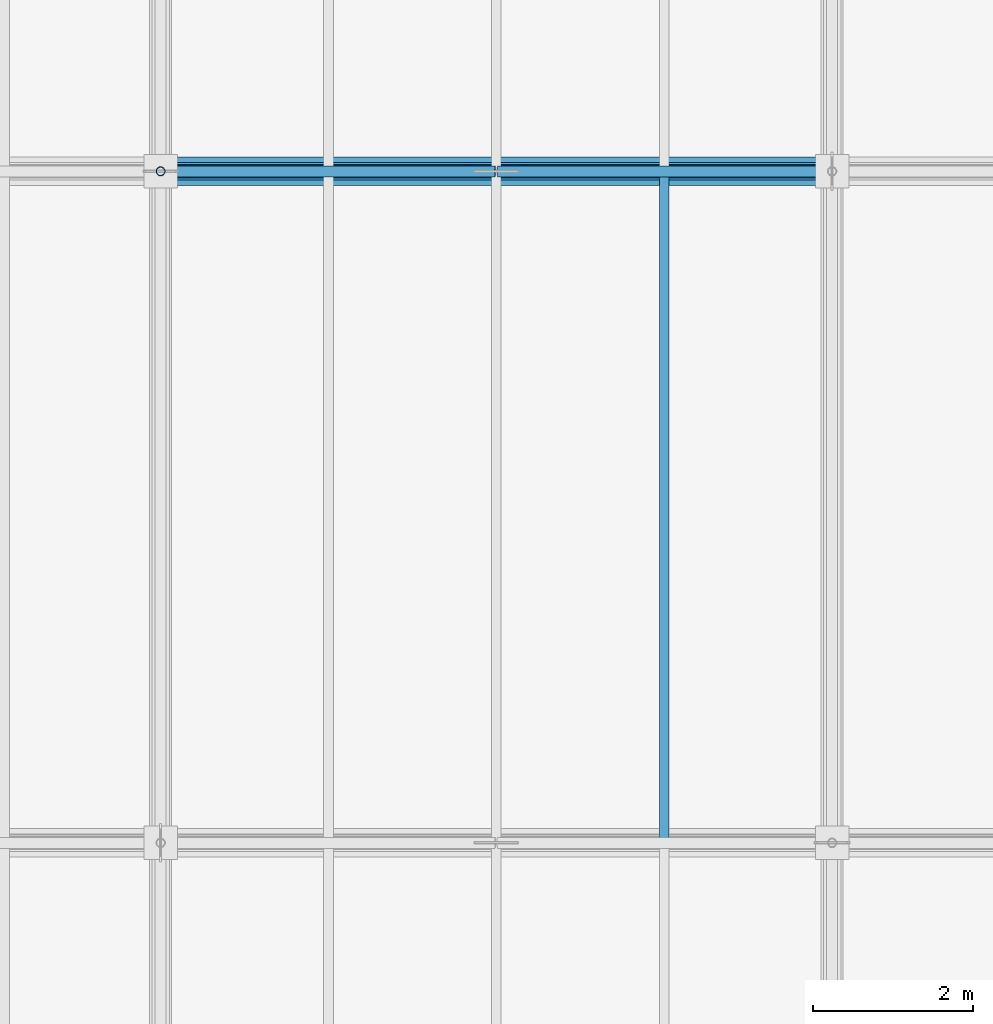
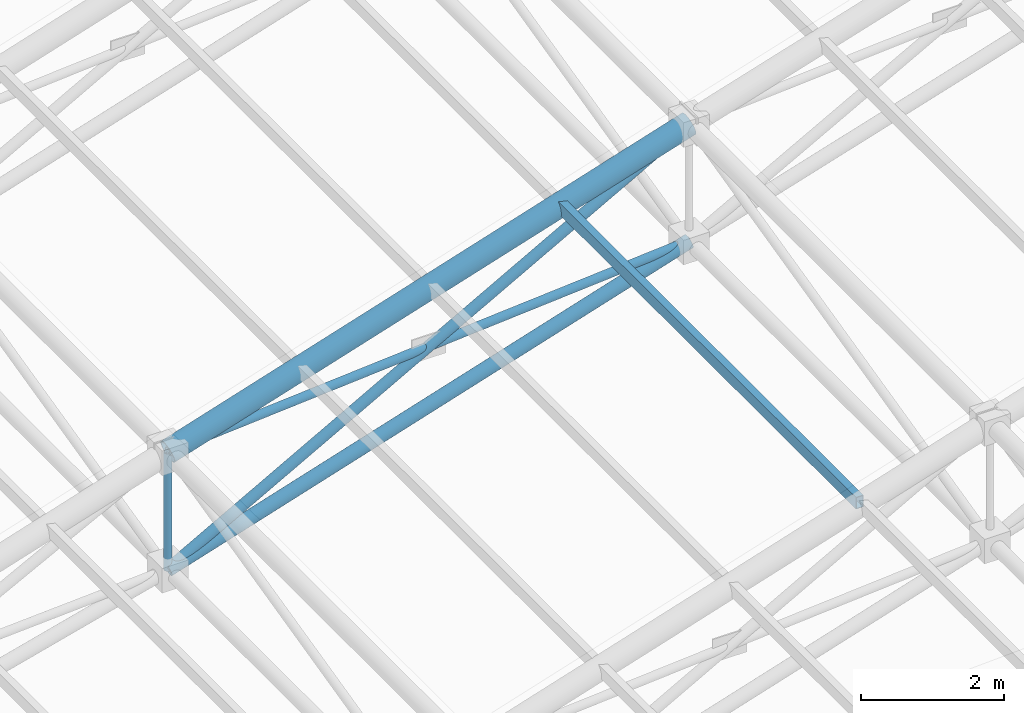
# One storey, part 38 of 144: 7 members.
"""IFC4 building model written with IfcOpenShell, lengths in metres."""

from ifc_helpers import new_model, si_unit, direction, frame, origin, origin_2d, place, context, subcontext, project, spatial, hollow_rectangle, hollow_circle, extrude, material, material_profile, profile_set, type_object, element, save


model = new_model("IFC4")

# Units and contexts
model_context = context("Model", 3, precision=1e-05, world=origin(), true_north=direction((0.0, 1.0)))
body_context = subcontext(model_context, "Body", "Model", "MODEL_VIEW")
ifc_project = project(units=[si_unit("LENGTHUNIT", "METRE"), si_unit("AREAUNIT", "SQUARE_METRE"), si_unit("VOLUMEUNIT", "CUBIC_METRE"), si_unit("PLANEANGLEUNIT", "RADIAN"), si_unit("MASSUNIT", "GRAM", prefix="KILO")], contexts=[model_context])

# Site, building, storey
site_placement = place(None, origin())
site = spatial("IfcSite", under=ifc_project, at=site_placement, CompositionType="ELEMENT")
building_placement = place(site_placement, origin())
building = spatial("IfcBuilding", under=site, at=building_placement, Name="Zayran Congress Hotel", CompositionType="ELEMENT")
storey_placement = place(building_placement, frame((0.0, 0.0, 19.199951171875)))
storey = spatial("IfcBuildingStorey", under=building, at=storey_placement, Name="L04", CompositionType="ELEMENT", Elevation=19.199951171875)

# Members
ifc_material = material(Name="Steel S355", Category="steel")
ifc_material_profile_1 = material_profile(ifc_material, hollow_circle(Radius=0.177734375, WallThickness=0.01611328125, at=origin_2d()), Name="CHS 355.6x16")
ifc_profile_set_1 = profile_set([ifc_material_profile_1], Name="Steel S355")
member_type_1 = type_object("IfcMemberType", Name="TP-SF-TC1", PredefinedType="CHORD", material=ifc_profile_set_1)
member_1_placement = place(storey_placement, frame((16.800048828125, 92.800048828125, 4.652099609375), z_axis=(0.953670596398, 0.0, 0.300852777228), x_axis=(0.0, 1.0, 0.0)))
element("IfcMember", 1, at=member_1_placement, inside=storey, type_object=member_type_1, Name="Space Frame Top Chord X 84", PredefinedType="CHORD", context=body_context, shape_type="SweptSolid", body=[
    extrude(hollow_circle(Radius=0.177734375, WallThickness=0.01611328125, at=origin_2d()), origin(), (0.0, 0.0, 1.0), 8.807861328125),
])
ifc_material_profile_2 = material_profile(ifc_material, hollow_circle(Radius=0.109619140625, WallThickness=0.010009765625, at=origin_2d()), Name="CHS 219.1x10")
ifc_profile_set_2 = profile_set([ifc_material_profile_2], Name="Steel S355")
member_type_2 = type_object("IfcMemberType", Name="TP-SF-BC1", PredefinedType="CHORD", material=ifc_profile_set_2)
member_2_placement = place(storey_placement, frame((16.800048828125, 92.800048828125, 2.650146484375), z_axis=(0.953670596398, 0.0, 0.300852777228), x_axis=(0.0, 1.0, 0.0)))
element("IfcMember", 2, at=member_2_placement, inside=storey, type_object=member_type_2, Name="Space Frame Bottom Chord X 85", PredefinedType="CHORD", context=body_context, shape_type="SweptSolid", body=[
    extrude(hollow_circle(Radius=0.109619140625, WallThickness=0.010009765625, at=origin_2d()), origin(), (0.0, 0.0, 1.0), 8.807861328125),
])
ifc_material_profile_3 = material_profile(ifc_material, hollow_circle(Radius=0.084228515625, WallThickness=0.008056640625, at=origin_2d()), Name="CHS 168.3x8")
ifc_profile_set_3 = profile_set([ifc_material_profile_3], Name="Steel S355")
member_type_3 = type_object("IfcMemberType", Name="TP-SF-DG1", PredefinedType="BRACE", material=ifc_profile_set_3)
member_3_placement = place(storey_placement, frame((16.800048828125, 92.800048828125, 2.650146484375), z_axis=(0.87480892947, 0.0, 0.484468096905), x_axis=(0.0, 1.0, 0.0)))
element("IfcMember", 3, at=member_3_placement, inside=storey, type_object=member_type_3, Name="Space Frame Web Diagonal X 86", PredefinedType="BRACE", context=body_context, shape_type="SweptSolid", body=[
    extrude(hollow_circle(Radius=0.084228515625, WallThickness=0.008056640625, at=origin_2d()), origin(), (0.0, 0.0, 1.0), 9.60205078125),
])
ifc_material_profile_4 = material_profile(ifc_material, hollow_circle(Radius=0.06982421875, WallThickness=0.00634765625, at=origin_2d()), Name="CHS 139.7x6.3")
ifc_profile_set_4 = profile_set([ifc_material_profile_4], Name="Steel S355")
member_type_4 = type_object("IfcMemberType", Name="TP-SF-DG2", PredefinedType="BRACE", material=ifc_profile_set_4)
for number, where, z_axis, x_axis, name in (
    (4, (16.800048828125, 92.800048828125, 4.652099609375), (0.997039412202, 0.0, 0.076892200614), (0.0, 1.0, 0.0), "Space Frame Counter Diagonal X Upper 87"),
    (5, (21.014892578125, 92.800048828125, 4.977294921875), (0.997039412202, 0.0, 0.076892200614), (0.0, 1.0, 0.0), "Space Frame Counter Diagonal X Lower 17"),
):
    element("IfcMember", number, at=place(storey_placement, frame(where, z_axis=z_axis, x_axis=x_axis)), inside=storey, type_object=member_type_4, Name=name, PredefinedType="BRACE", context=body_context, shape_type="SweptSolid", body=[
        extrude(hollow_circle(Radius=0.06982421875, WallThickness=0.00634765625, at=origin_2d()), origin(), (0.0, 0.0, 1.0), 4.197509765625),
    ])
ifc_material_profile_5 = material_profile(ifc_material, hollow_circle(Radius=0.05712890625, WallThickness=0.00634765625, at=origin_2d()), Name="CHS 114.3x6.3")
ifc_profile_set_5 = profile_set([ifc_material_profile_5], Name="Steel S355")
member_type_5 = type_object("IfcMemberType", Name="TP-SF-DG3", PredefinedType="BRACE", material=ifc_profile_set_5)
member_4_placement = place(storey_placement, frame((16.800048828125, 92.800048828125, 2.650146484375), z_axis=(0.0, 0.0, 1.0), x_axis=(0.0, 1.0, 0.0)))
element("IfcMember", 6, at=member_4_placement, inside=storey, type_object=member_type_5, Name="Space Frame Web Strut 91", PredefinedType="BRACE", context=body_context, shape_type="SweptSolid", body=[
    extrude(hollow_circle(Radius=0.05712890625, WallThickness=0.00634765625, at=origin_2d()), origin(), (0.0, 0.0, 1.0), 2.001953125),
])
ifc_material_profile_6 = material_profile(ifc_material, hollow_rectangle(XDim=0.1201171875, YDim=0.199951171875, WallThickness=0.008056640625, at=origin_2d()), Name="RHS 200x120x8")
ifc_profile_set_6 = profile_set([ifc_material_profile_6], Name="Steel S355")
member_type_6 = type_object("IfcMemberType", Name="TP-PR-01", PredefinedType="PURLIN", material=ifc_profile_set_6)
member_5_placement = place(storey_placement, frame((23.10009765625, 84.39990234375, 6.681640625), z_axis=(0.0, 1.0, 0.0), x_axis=(-1.0, 0.0, 0.0)))
element("IfcMember", 7, at=member_5_placement, inside=storey, type_object=member_type_6, Name="MEM-PR-V1-0033", PredefinedType="PURLIN", context=body_context, shape_type="SweptSolid", body=[
    extrude(hollow_rectangle(XDim=0.1201171875, YDim=0.199951171875, WallThickness=0.008056640625, at=origin_2d()), origin(), (0.0, 0.0, 1.0), 8.400146484375),
])

save(model, "model.ifc")
